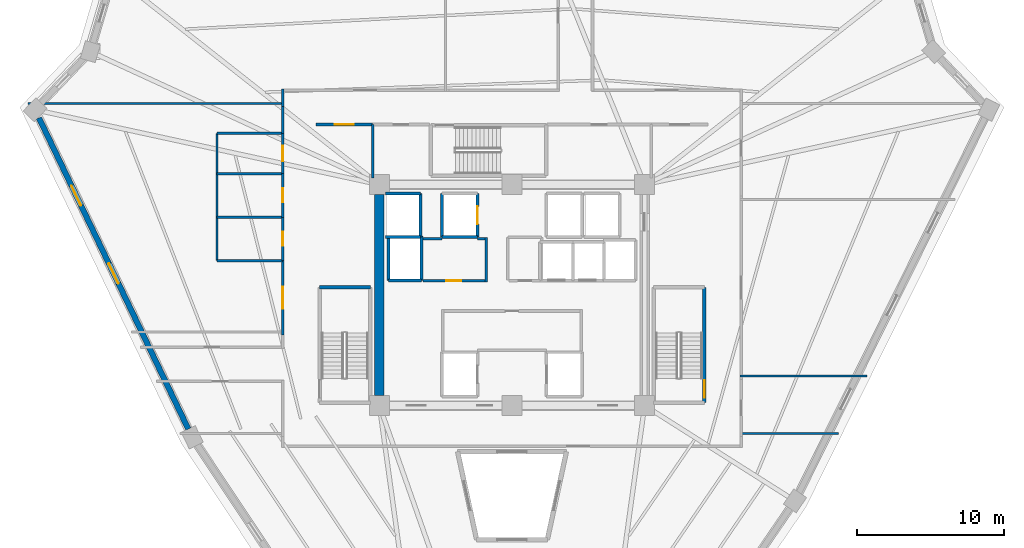
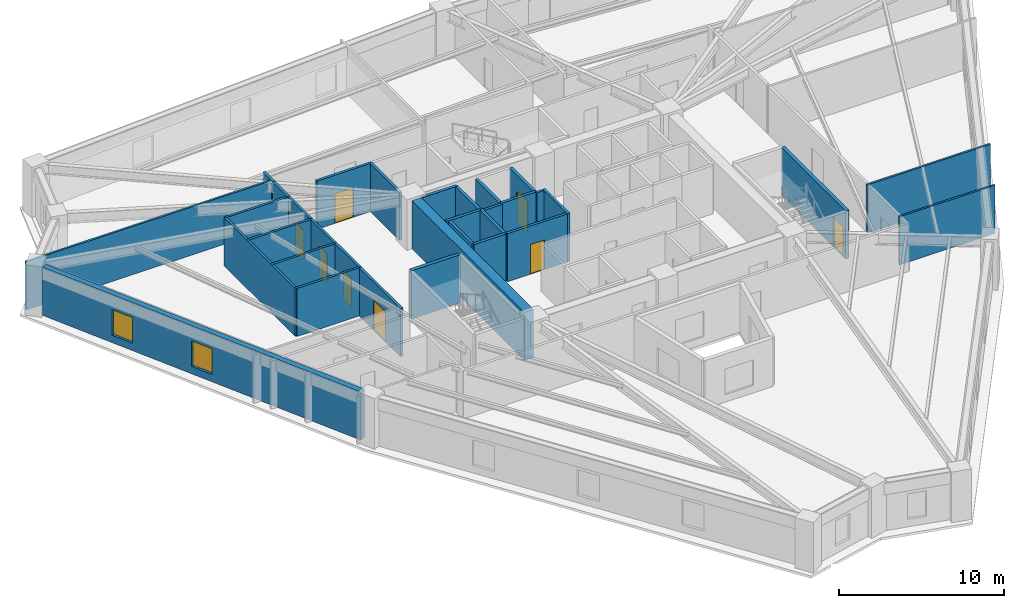
# One storey, part 4 of 9: 33 walls, 8 doors, 2 windows, 10 openings.
"""IFC4 building model written with IfcOpenShell, lengths in metres."""

from ifc_helpers import new_model, si_unit, direction, frame, frame_2d, origin, place, context, subcontext, project, spatial, rectangle, extrude, source, transform, mapped, material, layer, layer_set, type_object, element, fill, save


model = new_model("IFC4")

# Units and contexts
model_context = context("Model", 3, precision=1e-05, world=origin(), true_north=direction((0.0, 1.0)))
body_context = subcontext(model_context, "Body", "Model", "MODEL_VIEW")
ifc_project = project(units=[si_unit("LENGTHUNIT", "METRE"), si_unit("AREAUNIT", "SQUARE_METRE"), si_unit("VOLUMEUNIT", "CUBIC_METRE"), si_unit("PLANEANGLEUNIT", "RADIAN"), si_unit("MASSUNIT", "GRAM", prefix="KILO")], contexts=[model_context])

# Site, building, storey
site_placement = place(None, origin())
site = spatial("IfcSite", under=ifc_project, at=site_placement, CompositionType="ELEMENT")
building_placement = place(site_placement, origin())
building = spatial("IfcBuilding", under=site, at=building_placement, Name="Liaohun Quay Tower", CompositionType="ELEMENT")
storey_placement = place(building_placement, frame((0.0, 0.0, 236.25)))
storey = spatial("IfcBuildingStorey", under=building, at=storey_placement, Name="L61", CompositionType="ELEMENT", Elevation=236.25)

# Wall
ifc_material_1 = material(Name="Concrete C55", Category="concrete")
ifc_layer_1 = layer(ifc_material_1, 0.64990234375, Name="Concrete C55", Category="concrete")
ifc_layer_set_1 = layer_set([ifc_layer_1], Name="Concrete C55")
wall_type_1 = type_object("IfcWallType", Name="WAL-COR-Z3", PredefinedType="SHEAR", material=ifc_layer_set_1)
wall_1_placement = place(storey_placement, frame((51.0, 47.175048828125, 0.0), z_axis=(0.0, 0.0, 1.0), x_axis=(0.0, 1.0, 0.0)))
element("IfcWall", 1, at=wall_1_placement, inside=storey, type_object=wall_type_1, Name="L61 Central Core Shear Wall W", PredefinedType="SHEAR", context=body_context, shape_type="SweptSolid", body=[
    extrude(rectangle(XDim=13.64990234375, YDim=0.64990234375, at=frame_2d((6.824951171875, 0.0))), origin(), (0.0, 0.0, 1.0), 3.570068359375),
])

# Wall, openings, windows
ifc_material_2 = material(Name="Precast concrete C50 insulated sandwich", Category="concrete")
ifc_layer_2 = layer(ifc_material_2, 0.3798828125, Name="Precast concrete C50 insulated sandwich", Category="concrete")
ifc_layer_set_2 = layer_set([ifc_layer_2], Name="Precast concrete C50 insulated sandwich")
wall_type_2 = type_object("IfcWallType", Name="WAL-EXT-Z34", PredefinedType="SOLIDWALL", material=ifc_layer_set_2)
wall_2_placement = place(storey_placement, frame((27.89306640625, 66.02490234375, 0.0), z_axis=(0.0, 0.0, 1.0), x_axis=(0.432777471902, -0.901500781926, 0.0)))
wall_2 = element("IfcWall", 2, at=wall_2_placement, inside=storey, type_object=wall_type_2, Name="L61 Brutalist Precast Pier Wall 10", PredefinedType="SOLIDWALL", context=body_context, shape_type="SweptSolid", body=[
    extrude(rectangle(XDim=23.43212890625, YDim=0.3798828125, at=frame_2d((11.716064453125, 0.0))), origin(), (0.0, 0.0, 1.0), 3.570068359375),
])
shared_shape_1 = source(origin(), body_context, "Body", "SweptSolid", [
    extrude(rectangle(XDim=1.5, YDim=1.89990234375, at=frame_2d((0.75, 0.949951171875))), frame((0.0, 0.199951171875, 0.0), z_axis=(0.0, -1.0, 0.0), x_axis=(1.0, 0.0, 0.0)), (0.0, 0.0, 1.0), 0.39990234375),
])
opening_1_placement = place(wall_2_placement, frame((5.10791015625, 0.0, 0.550048828125)))
opening_1 = element("IfcOpeningElement", 3, at=opening_1_placement, cuts=wall_2, Name="Opening W03", PredefinedType="OPENING", context=body_context, shape_type="MappedRepresentation", body=[
    mapped(shared_shape_1, transform((0.0, 0.0, 0.0), x_axis=(1.0, 0.0, 0.0), y_axis=(0.0, 1.0, 0.0), z_axis=(0.0, 0.0, 1.0), scale=1.0)),
])
opening_2_placement = place(wall_2_placement, frame((10.966064453125, 0.0, 0.550048828125)))
opening_2 = element("IfcOpeningElement", 4, at=opening_2_placement, cuts=wall_2, Name="Opening W03", PredefinedType="OPENING", context=body_context, shape_type="MappedRepresentation", body=[
    mapped(shared_shape_1, transform((0.0, 0.0, 0.0), x_axis=(1.0, 0.0, 0.0), y_axis=(0.0, 1.0, 0.0), z_axis=(0.0, 0.0, 1.0), scale=1.0)),
])
ifc_material_3 = material(Name="Triple Low-E argon glazing in thermally broken aluminium", Category="aluminium")
window_type = type_object("IfcWindowType", Name="WIN-PUN-Z3", PartitioningType="DOUBLE_PANEL_VERTICAL", PredefinedType="WINDOW", material=ifc_material_3)
shared_shape_2 = source(origin(), body_context, "Body", "SweptSolid", [
    extrude(rectangle(XDim=1.5, YDim=1.89990234375, at=frame_2d((0.75, 0.949951171875))), frame((0.0, 0.030029296875, 0.0), z_axis=(0.0, -1.0, 0.0), x_axis=(1.0, 0.0, 0.0)), (0.0, 0.0, 1.0), 0.06005859375),
])
window_1_placement = place(opening_1_placement, origin())
window_1 = element("IfcWindow", 5, at=window_1_placement, inside=storey, type_object=window_type, Name="L61 Recessed Cold-Climate Punched Window 10-1", OverallHeight=1.89990234375, OverallWidth=1.5, PartitioningType="DOUBLE_PANEL_VERTICAL", PredefinedType="WINDOW", context=body_context, shape_type="MappedRepresentation", body=[
    mapped(shared_shape_2, transform((0.0, 0.0, 0.0), x_axis=(1.0, 0.0, 0.0), y_axis=(0.0, 1.0, 0.0), z_axis=(0.0, 0.0, 1.0), scale=1.0)),
])
fill(opening_1, window_1)
window_2_placement = place(opening_2_placement, origin())
window_2 = element("IfcWindow", 6, at=window_2_placement, inside=storey, type_object=window_type, Name="L61 Recessed Cold-Climate Punched Window 10-2", OverallHeight=1.89990234375, OverallWidth=1.5, PartitioningType="DOUBLE_PANEL_VERTICAL", PredefinedType="WINDOW", context=body_context, shape_type="MappedRepresentation", body=[
    mapped(shared_shape_2, transform((0.0, 0.0, 0.0), x_axis=(1.0, 0.0, 0.0), y_axis=(0.0, 1.0, 0.0), z_axis=(0.0, 0.0, 1.0), scale=1.0)),
])
fill(opening_2, window_2)

# Wall, opening, door
ifc_material_4 = material(Name="Autoclaved aerated concrete blockwork", Category="masonry")
ifc_layer_3 = layer(ifc_material_4, 0.179931640625, Name="Autoclaved aerated concrete blockwork", Category="masonry")
ifc_layer_set_3 = layer_set([ifc_layer_3], Name="Autoclaved aerated concrete blockwork")
wall_type_3 = type_object("IfcWallType", Name="WAL-PRT-COR", PredefinedType="PARTITIONING", material=ifc_layer_set_3)
wall_3_placement = place(storey_placement, frame((53.949951171875, 54.97998046875, 0.0), z_axis=(0.0, 0.0, 1.0), x_axis=(1.0, 0.0, 0.0)))
wall_3 = element("IfcWall", 7, at=wall_3_placement, inside=storey, type_object=wall_type_3, Name="L61 Interior Partition Wall 002", PredefinedType="PARTITIONING", context=body_context, shape_type="SweptSolid", body=[
    extrude(rectangle(XDim=4.2099609375, YDim=0.179931640625, at=frame_2d((2.10498046875, 0.0))), origin(), (0.0, 0.0, 1.0), 3.570068359375),
])
shared_shape_3 = source(origin(), body_context, "Body", "SweptSolid", [
    extrude(rectangle(XDim=1.0, YDim=2.199951171875, at=frame_2d((0.5, 1.10009765625))), frame((0.0, 0.099853515625, 0.0), z_axis=(0.0, -1.0, 0.0), x_axis=(1.0, 0.0, 0.0)), (0.0, 0.0, 1.0), 0.199951171875),
])
opening_3_placement = place(wall_3_placement, frame((1.60009765625, 0.0, 0.0)))
opening_3 = element("IfcOpeningElement", 8, at=opening_3_placement, cuts=wall_3, Name="Opening OD1", PredefinedType="OPENING", context=body_context, shape_type="MappedRepresentation", body=[
    mapped(shared_shape_3, transform((0.0, 0.0, 0.0), x_axis=(1.0, 0.0, 0.0), y_axis=(0.0, 1.0, 0.0), z_axis=(0.0, 0.0, 1.0), scale=1.0)),
])
ifc_material_5 = material(Name="Solid-core oak veneer timber leaf in steel frame", Category="steel")
door_type_1 = type_object("IfcDoorType", Name="DOR-OFF-1000", OperationType="NOTDEFINED", PredefinedType="DOOR", material=ifc_material_5)
shared_shape_4 = source(origin(), body_context, "Body", "SweptSolid", [
    extrude(rectangle(XDim=1.0, YDim=2.199951171875, at=frame_2d((0.5, 1.10009765625))), frame((0.0, 0.02490234375, 0.0), z_axis=(0.0, -1.0, 0.0), x_axis=(1.0, 0.0, 0.0)), (0.0, 0.0, 1.0), 0.050048828125),
])
door_1_placement = place(opening_3_placement, origin())
door_1 = element("IfcDoor", 9, at=door_1_placement, inside=storey, type_object=door_type_1, Name="L61 Core Staff Pantry and Tea Room Door", OperationType="SINGLE_SWING_RIGHT", OverallHeight=2.199951171875, OverallWidth=1.0, PredefinedType="DOOR", context=body_context, shape_type="MappedRepresentation", body=[
    mapped(shared_shape_4, transform((0.0, 0.0, 0.0), x_axis=(1.0, 0.0, 0.0), y_axis=(0.0, 1.0, 0.0), z_axis=(0.0, 0.0, 1.0), scale=1.0)),
])
fill(opening_3, door_1)

wall_4_placement = place(storey_placement, frame((46.699951171875, 65.580078125, 0.0), z_axis=(0.0, 0.0, 1.0), x_axis=(1.0, 0.0, 0.0)))
wall_4 = element("IfcWall", 10, at=wall_4_placement, inside=storey, type_object=wall_type_3, Name="L61 Interior Partition Wall 009", PredefinedType="PARTITIONING", context=body_context, shape_type="SweptSolid", body=[
    extrude(rectangle(XDim=3.840087890625, YDim=0.179931640625, at=frame_2d((1.919921875, 0.0))), origin(), (0.0, 0.0, 1.0), 3.570068359375),
])
shared_shape_5 = source(origin(), body_context, "Body", "SweptSolid", [
    extrude(rectangle(XDim=1.300048828125, YDim=2.199951171875, at=frame_2d((0.64990234375, 1.10009765625))), frame((0.0, 0.099853515625, 0.0), z_axis=(0.0, -1.0, 0.0), x_axis=(1.0, 0.0, 0.0)), (0.0, 0.0, 1.0), 0.199951171875),
])
opening_4_placement = place(wall_4_placement, frame((1.27001953125, 0.0, 0.0)))
opening_4 = element("IfcOpeningElement", 11, at=opening_4_placement, cuts=wall_4, Name="Opening FD1", PredefinedType="OPENING", context=body_context, shape_type="MappedRepresentation", body=[
    mapped(shared_shape_5, transform((0.0, 0.0, 0.0), x_axis=(1.0, 0.0, 0.0), y_axis=(0.0, 1.0, 0.0), z_axis=(0.0, 0.0, 1.0), scale=1.0)),
])
ifc_material_6 = material(Name="Galvanised steel smokeproof fire door", Category="steel")
door_type_2 = type_object("IfcDoorType", Name="DOR-FFL-1300", OperationType="NOTDEFINED", PredefinedType="DOOR", material=ifc_material_6)
shared_shape_6 = source(origin(), body_context, "Body", "SweptSolid", [
    extrude(rectangle(XDim=1.300048828125, YDim=2.199951171875, at=frame_2d((0.64990234375, 1.10009765625))), frame((0.0, 0.02490234375, 0.0), z_axis=(0.0, -1.0, 0.0), x_axis=(1.0, 0.0, 0.0)), (0.0, 0.0, 1.0), 0.050048828125),
])
door_2_placement = place(opening_4_placement, origin())
door_2 = element("IfcDoor", 12, at=door_2_placement, inside=storey, type_object=door_type_2, Name="L61 West Core Vestibule Door", OperationType="SINGLE_SWING_LEFT", OverallHeight=2.199951171875, OverallWidth=1.300048828125, PredefinedType="DOOR", context=body_context, shape_type="MappedRepresentation", body=[
    mapped(shared_shape_6, transform((0.0, 0.0, 0.0), x_axis=(1.0, 0.0, 0.0), y_axis=(0.0, 1.0, 0.0), z_axis=(0.0, 0.0, 1.0), scale=1.0)),
])
fill(opening_4, door_2)

wall_5_placement = place(storey_placement, frame((44.43994140625, 51.284912109375, 0.0), z_axis=(0.0, 0.0, 1.0), x_axis=(0.0, 1.0, 0.0)))
wall_5 = element("IfcWall", 13, at=wall_5_placement, inside=storey, type_object=wall_type_3, Name="L61 Interior Partition Wall 016", PredefinedType="PARTITIONING", context=body_context, shape_type="SweptSolid", body=[
    extrude(rectangle(XDim=5.05517578125, YDim=0.179931640625, at=frame_2d((2.527587890625, 0.0))), origin(), (0.0, 0.0, 1.0), 3.570068359375),
])
shared_shape_7 = source(origin(), body_context, "Body", "SweptSolid", [
    extrude(rectangle(XDim=1.5, YDim=2.199951171875, at=frame_2d((0.75, 1.10009765625))), frame((0.0, 0.099853515625, 0.0), z_axis=(0.0, -1.0, 0.0), x_axis=(1.0, 0.0, 0.0)), (0.0, 0.0, 1.0), 0.199951171875),
])
opening_5_placement = place(wall_5_placement, frame((1.778076171875, 0.0, 0.0)))
opening_5 = element("IfcOpeningElement", 14, at=opening_5_placement, cuts=wall_5, Name="Opening OD2", PredefinedType="OPENING", context=body_context, shape_type="MappedRepresentation", body=[
    mapped(shared_shape_7, transform((0.0, 0.0, 0.0), x_axis=(1.0, 0.0, 0.0), y_axis=(0.0, 1.0, 0.0), z_axis=(0.0, 0.0, 1.0), scale=1.0)),
])
ifc_material_7 = material(Name="Acoustic oak veneer double door")
door_type_3 = type_object("IfcDoorType", Name="DOR-OFF-1500", OperationType="DOUBLE_DOOR_SINGLE_SWING", PredefinedType="DOOR", material=ifc_material_7)
shared_shape_8 = source(origin(), body_context, "Body", "SweptSolid", [
    extrude(rectangle(XDim=1.5, YDim=2.199951171875, at=frame_2d((0.75, 1.10009765625))), frame((0.0, 0.02490234375, 0.0), z_axis=(0.0, -1.0, 0.0), x_axis=(1.0, 0.0, 0.0)), (0.0, 0.0, 1.0), 0.050048828125),
])
door_3_placement = place(opening_5_placement, origin())
door_3 = element("IfcDoor", 15, at=door_3_placement, inside=storey, type_object=door_type_3, Name="L61 Staff Tea Kitchen and Pantry 06 Door", OperationType="DOUBLE_DOOR_SINGLE_SWING", OverallHeight=2.199951171875, OverallWidth=1.5, PredefinedType="DOOR", context=body_context, shape_type="MappedRepresentation", body=[
    mapped(shared_shape_8, transform((0.0, 0.0, 0.0), x_axis=(1.0, 0.0, 0.0), y_axis=(0.0, 1.0, 0.0), z_axis=(0.0, 0.0, 1.0), scale=1.0)),
])
fill(opening_5, door_3)

# Walls
wall_6_placement = place(storey_placement, frame((50.5400390625, 61.949951171875, 0.0), z_axis=(0.0, 0.0, 1.0), x_axis=(0.0, 1.0, 0.0)))
element("IfcWall", 16, at=wall_6_placement, inside=storey, type_object=wall_type_3, Name="L61 Interior Partition Wall 029", PredefinedType="PARTITIONING", context=body_context, shape_type="SweptSolid", body=[
    extrude(rectangle(XDim=3.630126953125, YDim=0.179931640625, at=frame_2d((1.81494140625, 0.0))), origin(), (0.0, 0.0, 1.0), 3.570068359375),
])
wall_7_placement = place(storey_placement, frame((44.43994140625, 66.784912109375, 0.0), z_axis=(0.0, 0.0, 1.0), x_axis=(0.0, 1.0, 0.0)))
element("IfcWall", 17, at=wall_7_placement, inside=storey, type_object=wall_type_3, Name="L61 Interior Partition Wall 034", PredefinedType="PARTITIONING", context=body_context, shape_type="SweptSolid", body=[
    extrude(rectangle(XDim=1.195068359375, YDim=0.179931640625, at=frame_2d((0.59765625, 0.0))), origin(), (0.0, 0.0, 1.0), 3.570068359375),
])
wall_8_placement = place(storey_placement, frame((44.43994140625, 64.97998046875, 0.0), z_axis=(0.0, 0.0, 1.0), x_axis=(0.0, 1.0, 0.0)))
element("IfcWall", 18, at=wall_8_placement, inside=storey, type_object=wall_type_3, Name="L61 Interior Partition Wall 035", PredefinedType="PARTITIONING", context=body_context, shape_type="SweptSolid", body=[
    extrude(rectangle(XDim=1.804931640625, YDim=0.179931640625, at=frame_2d((0.90234375, 0.0))), origin(), (0.0, 0.0, 1.0), 3.570068359375),
])
wall_9_placement = place(storey_placement, frame((58.25, 54.889892578125, 0.0), z_axis=(0.0, 0.0, 1.0), x_axis=(0.0, 1.0, 0.0)))
element("IfcWall", 19, at=wall_9_placement, inside=storey, type_object=wall_type_3, Name="L61 Interior Partition Wall 051", PredefinedType="PARTITIONING", context=body_context, shape_type="SweptSolid", body=[
    extrude(rectangle(XDim=3.02001953125, YDim=0.179931640625, at=frame_2d((1.510009765625, 0.0))), origin(), (0.0, 0.0, 1.0), 3.570068359375),
])
wall_10_placement = place(storey_placement, frame((53.949951171875, 57.820068359375, 0.0), z_axis=(0.0, 0.0, 1.0), x_axis=(1.0, 0.0, 0.0)))
element("IfcWall", 20, at=wall_10_placement, inside=storey, type_object=wall_type_3, Name="L61 Interior Partition Wall 052", PredefinedType="PARTITIONING", context=body_context, shape_type="SweptSolid", body=[
    extrude(rectangle(XDim=1.300048828125, YDim=0.179931640625, at=frame_2d((0.64990234375, 0.0))), origin(), (0.0, 0.0, 1.0), 3.570068359375),
])
wall_11_placement = place(storey_placement, frame((57.64990234375, 57.820068359375, 0.0), z_axis=(0.0, 0.0, 1.0), x_axis=(1.0, 0.0, 0.0)))
element("IfcWall", 21, at=wall_11_placement, inside=storey, type_object=wall_type_3, Name="L61 Interior Partition Wall 053", PredefinedType="PARTITIONING", context=body_context, shape_type="SweptSolid", body=[
    extrude(rectangle(XDim=0.510009765625, YDim=0.179931640625, at=frame_2d((0.2548828125, 0.0))), origin(), (0.0, 0.0, 1.0), 3.570068359375),
])
ifc_material_8 = material(Name="Gypsum board on twin steel studs", Category="steel")
ifc_layer_4 = layer(ifc_material_8, 0.139892578125, Name="Gypsum board on twin steel studs", Category="steel")
ifc_layer_set_4 = layer_set([ifc_layer_4], Name="Gypsum board on twin steel studs")
wall_type_4 = type_object("IfcWallType", Name="WAL-PRT-OFF", PredefinedType="PARTITIONING", material=ifc_layer_set_4)
wall_12_placement = place(storey_placement, frame((44.5400390625, 67.0, 0.0), z_axis=(0.0, 0.0, 1.0), x_axis=(-1.0, 0.0, 0.0)))
element("IfcWall", 22, at=wall_12_placement, inside=storey, type_object=wall_type_4, Name="L61 Interior Partition Wall 042", PredefinedType="PARTITIONING", context=body_context, shape_type="SweptSolid", body=[
    extrude(rectangle(XDim=17.382080078125, YDim=0.139892578125, at=frame_2d((8.69091796875, 0.0))), origin(), (0.0, 0.0, 1.0), 3.570068359375),
])
wall_13_placement = place(storey_placement, frame((75.4599609375, 44.60009765625, 0.0), z_axis=(0.0, 0.0, 1.0), x_axis=(1.0, 0.0, 0.0)))
element("IfcWall", 23, at=wall_13_placement, inside=storey, type_object=wall_type_4, Name="L61 Interior Partition Wall 043", PredefinedType="PARTITIONING", context=body_context, shape_type="SweptSolid", body=[
    extrude(rectangle(XDim=6.716064453125, YDim=0.139892578125, at=frame_2d((3.35791015625, 0.0))), origin(), (0.0, 0.0, 1.0), 3.570068359375),
])
wall_14_placement = place(storey_placement, frame((75.4599609375, 48.5, 0.0), z_axis=(0.0, 0.0, 1.0), x_axis=(1.0, 0.0, 0.0)))
element("IfcWall", 24, at=wall_14_placement, inside=storey, type_object=wall_type_4, Name="L61 Interior Partition Wall 044", PredefinedType="PARTITIONING", context=body_context, shape_type="SweptSolid", body=[
    extrude(rectangle(XDim=8.64794921875, YDim=0.139892578125, at=frame_2d((4.323974609375, 0.0))), origin(), (0.0, 0.0, 1.0), 3.570068359375),
])

# Wall, opening, door
ifc_material_9 = material(Name="Moisture-resistant masonry blockwork", Category="masonry")
ifc_layer_5 = layer(ifc_material_9, 0.159912109375, Name="Moisture-resistant masonry blockwork", Category="masonry")
ifc_layer_set_5 = layer_set([ifc_layer_5], Name="Moisture-resistant masonry blockwork")
wall_type_5 = type_object("IfcWallType", Name="WAL-PRT-WET", PredefinedType="PARTITIONING", material=ifc_layer_set_5)
wall_15_placement = place(storey_placement, frame((44.43994140625, 56.340087890625, 0.0), z_axis=(0.0, 0.0, 1.0), x_axis=(0.0, 1.0, 0.0)))
wall_15 = element("IfcWall", 25, at=wall_15_placement, inside=storey, type_object=wall_type_5, Name="L61 Interior Partition Wall 004", PredefinedType="PARTITIONING", context=body_context, shape_type="SweptSolid", body=[
    extrude(rectangle(XDim=2.93994140625, YDim=0.159912109375, at=frame_2d((1.469970703125, 0.0))), origin(), (0.0, 0.0, 1.0), 3.570068359375),
])
shared_shape_9 = source(origin(), body_context, "Body", "SweptSolid", [
    extrude(rectangle(XDim=0.949951171875, YDim=2.14990234375, at=frame_2d((0.47509765625, 1.074951171875))), frame((0.0, 0.08984375, 0.0), z_axis=(0.0, -1.0, 0.0), x_axis=(1.0, 0.0, 0.0)), (0.0, 0.0, 1.0), 0.179931640625),
])
opening_6_placement = place(wall_15_placement, frame((0.9951171875, 0.0, 0.0)))
opening_6 = element("IfcOpeningElement", 26, at=opening_6_placement, cuts=wall_15, Name="Opening WD1", PredefinedType="OPENING", context=body_context, shape_type="MappedRepresentation", body=[
    mapped(shared_shape_9, transform((0.0, 0.0, 0.0), x_axis=(1.0, 0.0, 0.0), y_axis=(0.0, 1.0, 0.0), z_axis=(0.0, 0.0, 1.0), scale=1.0)),
])
ifc_material_10 = material(Name="Moisture-resistant laminate timber leaf", Category="wood")
door_type_4 = type_object("IfcDoorType", Name="DOR-WC-950", OperationType="NOTDEFINED", PredefinedType="DOOR", material=ifc_material_10)
shared_shape_10 = source(origin(), body_context, "Body", "SweptSolid", [
    extrude(rectangle(XDim=0.949951171875, YDim=2.14990234375, at=frame_2d((0.47509765625, 1.074951171875))), frame((0.0, 0.02490234375, 0.0), z_axis=(0.0, -1.0, 0.0), x_axis=(1.0, 0.0, 0.0)), (0.0, 0.0, 1.0), 0.050048828125),
])
door_4_placement = place(opening_6_placement, origin())
door_4 = element("IfcDoor", 27, at=door_4_placement, inside=storey, type_object=door_type_4, Name="L61 Male Restroom WC Door", OperationType="SINGLE_SWING_RIGHT", OverallHeight=2.14990234375, OverallWidth=0.949951171875, PredefinedType="DOOR", context=body_context, shape_type="MappedRepresentation", body=[
    mapped(shared_shape_10, transform((0.0, 0.0, 0.0), x_axis=(1.0, 0.0, 0.0), y_axis=(0.0, 1.0, 0.0), z_axis=(0.0, 0.0, 1.0), scale=1.0)),
])
fill(opening_6, door_4)

wall_16_placement = place(storey_placement, frame((44.43994140625, 59.280029296875, 0.0), z_axis=(0.0, 0.0, 1.0), x_axis=(0.0, 1.0, 0.0)))
wall_16 = element("IfcWall", 28, at=wall_16_placement, inside=storey, type_object=wall_type_5, Name="L61 Interior Partition Wall 005", PredefinedType="PARTITIONING", context=body_context, shape_type="SweptSolid", body=[
    extrude(rectangle(XDim=2.9599609375, YDim=0.159912109375, at=frame_2d((1.47998046875, 0.0))), origin(), (0.0, 0.0, 1.0), 3.570068359375),
])
opening_7_placement = place(wall_16_placement, frame((1.0048828125, 0.0, 0.0)))
opening_7 = element("IfcOpeningElement", 29, at=opening_7_placement, cuts=wall_16, Name="Opening WD1", PredefinedType="OPENING", context=body_context, shape_type="MappedRepresentation", body=[
    mapped(shared_shape_9, transform((0.0, 0.0, 0.0), x_axis=(1.0, 0.0, 0.0), y_axis=(0.0, 1.0, 0.0), z_axis=(0.0, 0.0, 1.0), scale=1.0)),
])
door_5_placement = place(opening_7_placement, origin())
door_5 = element("IfcDoor", 30, at=door_5_placement, inside=storey, type_object=door_type_4, Name="L61 Female Restroom WC Door", OperationType="SINGLE_SWING_LEFT", OverallHeight=2.14990234375, OverallWidth=0.949951171875, PredefinedType="DOOR", context=body_context, shape_type="MappedRepresentation", body=[
    mapped(shared_shape_10, transform((0.0, 0.0, 0.0), x_axis=(1.0, 0.0, 0.0), y_axis=(0.0, 1.0, 0.0), z_axis=(0.0, 0.0, 1.0), scale=1.0)),
])
fill(opening_7, door_5)

wall_17_placement = place(storey_placement, frame((44.43994140625, 62.239990234375, 0.0), z_axis=(0.0, 0.0, 1.0), x_axis=(0.0, 1.0, 0.0)))
wall_17 = element("IfcWall", 31, at=wall_17_placement, inside=storey, type_object=wall_type_5, Name="L61 Interior Partition Wall 006", PredefinedType="PARTITIONING", context=body_context, shape_type="SweptSolid", body=[
    extrude(rectangle(XDim=2.739990234375, YDim=0.159912109375, at=frame_2d((1.3701171875, 0.0))), origin(), (0.0, 0.0, 1.0), 3.570068359375),
])
shared_shape_11 = source(origin(), body_context, "Body", "SweptSolid", [
    extrude(rectangle(XDim=1.050048828125, YDim=2.14990234375, at=frame_2d((0.52490234375, 1.074951171875))), frame((0.0, 0.08984375, 0.0), z_axis=(0.0, -1.0, 0.0), x_axis=(1.0, 0.0, 0.0)), (0.0, 0.0, 1.0), 0.179931640625),
])
opening_8_placement = place(wall_17_placement, frame((0.844970703125, 0.0, 0.0)))
opening_8 = element("IfcOpeningElement", 32, at=opening_8_placement, cuts=wall_17, Name="Opening WD2", PredefinedType="OPENING", context=body_context, shape_type="MappedRepresentation", body=[
    mapped(shared_shape_11, transform((0.0, 0.0, 0.0), x_axis=(1.0, 0.0, 0.0), y_axis=(0.0, 1.0, 0.0), z_axis=(0.0, 0.0, 1.0), scale=1.0)),
])
ifc_material_11 = material(Name="Accessible outward-swinging laminate door")
door_type_5 = type_object("IfcDoorType", Name="DOR-AWC-1050", OperationType="NOTDEFINED", PredefinedType="DOOR", material=ifc_material_11)
shared_shape_12 = source(origin(), body_context, "Body", "SweptSolid", [
    extrude(rectangle(XDim=1.050048828125, YDim=2.14990234375, at=frame_2d((0.52490234375, 1.074951171875))), frame((0.0, 0.02490234375, 0.0), z_axis=(0.0, -1.0, 0.0), x_axis=(1.0, 0.0, 0.0)), (0.0, 0.0, 1.0), 0.050048828125),
])
door_6_placement = place(opening_8_placement, origin())
door_6 = element("IfcDoor", 33, at=door_6_placement, inside=storey, type_object=door_type_5, Name="L61 Accessible WC Door", OperationType="SINGLE_SWING_RIGHT", OverallHeight=2.14990234375, OverallWidth=1.050048828125, PredefinedType="DOOR", context=body_context, shape_type="MappedRepresentation", body=[
    mapped(shared_shape_12, transform((0.0, 0.0, 0.0), x_axis=(1.0, 0.0, 0.0), y_axis=(0.0, 1.0, 0.0), z_axis=(0.0, 0.0, 1.0), scale=1.0)),
])
fill(opening_8, door_6)

# Walls
wall_18_placement = place(storey_placement, frame((39.97998046875, 56.340087890625, 0.0), z_axis=(0.0, 0.0, 1.0), x_axis=(0.0, 1.0, 0.0)))
element("IfcWall", 34, at=wall_18_placement, inside=storey, type_object=wall_type_5, Name="L61 Interior Partition Wall 024", PredefinedType="PARTITIONING", context=body_context, shape_type="SweptSolid", body=[
    extrude(rectangle(XDim=8.639892578125, YDim=0.159912109375, at=frame_2d((4.31982421875, 0.0))), origin(), (0.0, 0.0, 1.0), 3.570068359375),
])
for number, where, z_axis, x_axis, name in (
    (35, (39.97998046875, 56.340087890625, 0.0), (0.0, 0.0, 1.0), (1.0, 0.0, 0.0), "L61 Interior Partition Wall 025"),
    (36, (39.97998046875, 59.280029296875, 0.0), (0.0, 0.0, 1.0), (1.0, 0.0, 0.0), "L61 Interior Partition Wall 026"),
    (37, (39.97998046875, 62.239990234375, 0.0), (0.0, 0.0, 1.0), (1.0, 0.0, 0.0), "L61 Interior Partition Wall 027"),
    (38, (39.97998046875, 64.97998046875, 0.0), (0.0, 0.0, 1.0), (1.0, 0.0, 0.0), "L61 Interior Partition Wall 028"),
):
    element("IfcWall", number, at=place(storey_placement, frame(where, z_axis=z_axis, x_axis=x_axis)), inside=storey, type_object=wall_type_5, Name=name, PredefinedType="PARTITIONING", context=body_context, shape_type="SweptSolid", body=[
        extrude(rectangle(XDim=4.4599609375, YDim=0.159912109375, at=frame_2d((2.22998046875, 0.0))), origin(), (0.0, 0.0, 1.0), 3.570068359375),
    ])
ifc_material_12 = material(Name="Concrete C50", Category="concrete")
ifc_layer_6 = layer(ifc_material_12, 0.239990234375, Name="Concrete C50", Category="concrete")
ifc_layer_set_6 = layer_set([ifc_layer_6], Name="Concrete C50")
wall_type_6 = type_object("IfcWallType", Name="WAL-SHF-200", PredefinedType="SOLIDWALL", material=ifc_layer_set_6)
wall_19_placement = place(storey_placement, frame((50.3798828125, 54.52001953125, 0.0), z_axis=(0.0, 0.0, 1.0), x_axis=(-1.0, 0.0, 0.0)))
element("IfcWall", 39, at=wall_19_placement, inside=storey, type_object=wall_type_6, Name="L61 Stairwell ST-1 Structural Core Wall N", PredefinedType="SOLIDWALL", context=body_context, shape_type="SweptSolid", body=[
    extrude(rectangle(XDim=3.43994140625, YDim=0.239990234375, at=frame_2d((1.719970703125, 0.0))), origin(), (0.0, 0.0, 1.0), 3.570068359375),
])

# Wall, opening, door
wall_20_placement = place(storey_placement, frame((73.06005859375, 46.699951171875, 0.0), z_axis=(0.0, 0.0, 1.0), x_axis=(0.0, 1.0, 0.0)))
wall_20 = element("IfcWall", 40, at=wall_20_placement, inside=storey, type_object=wall_type_6, Name="L61 Stairwell ST-2 Structural Core Wall E", PredefinedType="SOLIDWALL", context=body_context, shape_type="SweptSolid", body=[
    extrude(rectangle(XDim=7.820068359375, YDim=0.239990234375, at=frame_2d((3.91015625, 0.0))), origin(), (0.0, 0.0, 1.0), 3.570068359375),
])
shared_shape_13 = source(origin(), body_context, "Body", "SweptSolid", [
    extrude(rectangle(XDim=1.199951171875, YDim=2.199951171875, at=frame_2d((0.60009765625, 1.10009765625))), frame((0.0, 0.1298828125, 0.0), z_axis=(0.0, -1.0, 0.0), x_axis=(1.0, 0.0, 0.0)), (0.0, 0.0, 1.0), 0.260009765625),
])
opening_9_placement = place(wall_20_placement, frame((0.320068359375, 0.0, 0.0)))
opening_9 = element("IfcOpeningElement", 41, at=opening_9_placement, cuts=wall_20, Name="Opening SD1", PredefinedType="OPENING", context=body_context, shape_type="MappedRepresentation", body=[
    mapped(shared_shape_13, transform((0.0, 0.0, 0.0), x_axis=(1.0, 0.0, 0.0), y_axis=(0.0, 1.0, 0.0), z_axis=(0.0, 0.0, 1.0), scale=1.0)),
])
ifc_material_13 = material(Name="Galvanised steel fire door", Category="steel")
door_type_6 = type_object("IfcDoorType", Name="DOR-STR-1200", OperationType="NOTDEFINED", PredefinedType="DOOR", material=ifc_material_13)
shared_shape_14 = source(origin(), body_context, "Body", "SweptSolid", [
    extrude(rectangle(XDim=1.199951171875, YDim=2.199951171875, at=frame_2d((0.60009765625, 1.10009765625))), frame((0.0, 0.02490234375, 0.0), z_axis=(0.0, -1.0, 0.0), x_axis=(1.0, 0.0, 0.0)), (0.0, 0.0, 1.0), 0.050048828125),
])
door_7_placement = place(opening_9_placement, origin())
door_7 = element("IfcDoor", 42, at=door_7_placement, inside=storey, type_object=door_type_6, Name="L61 Protected Stair ST-2 Fire Door", OperationType="SINGLE_SWING_RIGHT", OverallHeight=2.199951171875, OverallWidth=1.199951171875, PredefinedType="DOOR", context=body_context, shape_type="MappedRepresentation", body=[
    mapped(shared_shape_14, transform((0.0, 0.0, 0.0), x_axis=(1.0, 0.0, 0.0), y_axis=(0.0, 1.0, 0.0), z_axis=(0.0, 0.0, 1.0), scale=1.0)),
])
fill(opening_9, door_7)

# Wall
wall_21_placement = place(storey_placement, frame((55.25, 57.949951171875, 0.0), z_axis=(0.0, 0.0, 1.0), x_axis=(1.0, 0.0, 0.0)))
element("IfcWall", 43, at=wall_21_placement, inside=storey, type_object=wall_type_6, Name="L61 Lift FF-03 Hoistway Wall S", PredefinedType="SOLIDWALL", context=body_context, shape_type="SweptSolid", body=[
    extrude(rectangle(XDim=2.39990234375, YDim=0.199951171875, at=frame_2d((1.199951171875, 0.0))), origin(), (0.0, 0.0, 1.0), 3.570068359375),
])

# Wall, opening, door
wall_22_placement = place(storey_placement, frame((57.64990234375, 57.949951171875, 0.0), z_axis=(0.0, 0.0, 1.0), x_axis=(0.0, 1.0, 0.0)))
wall_22 = element("IfcWall", 44, at=wall_22_placement, inside=storey, type_object=wall_type_6, Name="L61 Lift FF-03 Hoistway Wall E", PredefinedType="SOLIDWALL", context=body_context, shape_type="SweptSolid", body=[
    extrude(rectangle(XDim=2.929931640625, YDim=0.199951171875, at=frame_2d((1.46484375, 0.0))), origin(), (0.0, 0.0, 1.0), 3.570068359375),
])
shared_shape_15 = source(origin(), body_context, "Body", "SweptSolid", [
    extrude(rectangle(XDim=1.199951171875, YDim=2.300048828125, at=frame_2d((0.60009765625, 1.14990234375))), frame((0.0, 0.10986328125, 0.0), z_axis=(0.0, -1.0, 0.0), x_axis=(1.0, 0.0, 0.0)), (0.0, 0.0, 1.0), 0.219970703125),
])
opening_10_placement = place(wall_22_placement, frame((0.864990234375, 0.0, 0.0)))
opening_10 = element("IfcOpeningElement", 45, at=opening_10_placement, cuts=wall_22, Name="Opening LD2", PredefinedType="OPENING", context=body_context, shape_type="MappedRepresentation", body=[
    mapped(shared_shape_15, transform((0.0, 0.0, 0.0), x_axis=(1.0, 0.0, 0.0), y_axis=(0.0, 1.0, 0.0), z_axis=(0.0, 0.0, 1.0), scale=1.0)),
])
ifc_material_14 = material(Name="Brushed stainless steel stretcher landing door", Category="steel")
door_type_7 = type_object("IfcDoorType", Name="DOR-LFT-1200", OperationType="SLIDING_TO_LEFT", PredefinedType="DOOR", material=ifc_material_14)
shared_shape_16 = source(origin(), body_context, "Body", "SweptSolid", [
    extrude(rectangle(XDim=1.199951171875, YDim=2.300048828125, at=frame_2d((0.60009765625, 1.14990234375))), frame((0.0, 0.02490234375, 0.0), z_axis=(0.0, -1.0, 0.0), x_axis=(1.0, 0.0, 0.0)), (0.0, 0.0, 1.0), 0.050048828125),
])
door_8_placement = place(opening_10_placement, origin())
door_8 = element("IfcDoor", 46, at=door_8_placement, inside=storey, type_object=door_type_7, Name="L61 Lift FF-03 Sliding Landing Door", OperationType="SLIDING_TO_LEFT", OverallHeight=2.300048828125, OverallWidth=1.199951171875, PredefinedType="DOOR", context=body_context, shape_type="MappedRepresentation", body=[
    mapped(shared_shape_16, transform((0.0, 0.0, 0.0), x_axis=(1.0, 0.0, 0.0), y_axis=(0.0, 1.0, 0.0), z_axis=(0.0, 0.0, 1.0), scale=1.0)),
])
fill(opening_10, door_8)

# Walls
wall_23_placement = place(storey_placement, frame((55.25, 60.8798828125, 0.0), z_axis=(0.0, 0.0, 1.0), x_axis=(0.0, -1.0, 0.0)))
element("IfcWall", 47, at=wall_23_placement, inside=storey, type_object=wall_type_6, Name="L61 Lift FF-03 Hoistway Wall W", PredefinedType="SOLIDWALL", context=body_context, shape_type="SweptSolid", body=[
    extrude(rectangle(XDim=2.929931640625, YDim=0.199951171875, at=frame_2d((1.46484375, 0.0))), origin(), (0.0, 0.0, 1.0), 3.570068359375),
])
wall_24_placement = place(storey_placement, frame((51.39990234375, 57.949951171875, 0.0), z_axis=(0.0, 0.0, 1.0), x_axis=(1.0, 0.0, 0.0)))
element("IfcWall", 48, at=wall_24_placement, inside=storey, type_object=wall_type_6, Name="L61 Lift SH-01 Hoistway Wall S", PredefinedType="SOLIDWALL", context=body_context, shape_type="SweptSolid", body=[
    extrude(rectangle(XDim=2.400146484375, YDim=0.199951171875, at=frame_2d((1.2001953125, 0.0))), origin(), (0.0, 0.0, 1.0), 3.570068359375),
])
wall_25_placement = place(storey_placement, frame((53.800048828125, 57.949951171875, 0.0), z_axis=(0.0, 0.0, 1.0), x_axis=(0.0, 1.0, 0.0)))
element("IfcWall", 49, at=wall_25_placement, inside=storey, type_object=wall_type_6, Name="L61 Lift SH-01 Hoistway Wall E", PredefinedType="SOLIDWALL", context=body_context, shape_type="SweptSolid", body=[
    extrude(rectangle(XDim=2.929931640625, YDim=0.199951171875, at=frame_2d((1.46484375, 0.0))), origin(), (0.0, 0.0, 1.0), 3.570068359375),
])
wall_26_placement = place(storey_placement, frame((53.800048828125, 60.8798828125, 0.0), z_axis=(0.0, 0.0, 1.0), x_axis=(-1.0, 0.0, 0.0)))
element("IfcWall", 50, at=wall_26_placement, inside=storey, type_object=wall_type_6, Name="L61 Lift SH-01 Hoistway Wall N", PredefinedType="SOLIDWALL", context=body_context, shape_type="SweptSolid", body=[
    extrude(rectangle(XDim=2.400146484375, YDim=0.199951171875, at=frame_2d((1.2001953125, 0.0))), origin(), (0.0, 0.0, 1.0), 3.570068359375),
])
wall_27_placement = place(storey_placement, frame((51.6201171875, 55.0, 0.0), z_axis=(0.0, 0.0, 1.0), x_axis=(1.0, 0.0, 0.0)))
element("IfcWall", 51, at=wall_27_placement, inside=storey, type_object=wall_type_6, Name="L61 Lift SH-02 Hoistway Wall S", PredefinedType="SOLIDWALL", context=body_context, shape_type="SweptSolid", body=[
    extrude(rectangle(XDim=2.22998046875, YDim=0.199951171875, at=frame_2d((1.114990234375, 0.0))), origin(), (0.0, 0.0, 1.0), 3.570068359375),
])
for number, where, z_axis, x_axis, name in (
    (52, (53.85009765625, 55.0, 0.0), (0.0, 0.0, 1.0), (0.0, 1.0, 0.0), "L61 Lift SH-02 Hoistway Wall E"),
    (53, (51.6201171875, 58.0, 0.0), (0.0, 0.0, 1.0), (0.0, -1.0, 0.0), "L61 Lift SH-02 Hoistway Wall W"),
):
    element("IfcWall", number, at=place(storey_placement, frame(where, z_axis=z_axis, x_axis=x_axis)), inside=storey, type_object=wall_type_6, Name=name, PredefinedType="SOLIDWALL", context=body_context, shape_type="SweptSolid", body=[
        extrude(rectangle(XDim=3.0, YDim=0.199951171875, at=frame_2d((1.5, 0.0))), origin(), (0.0, 0.0, 1.0), 3.570068359375),
    ])

save(model, "model.ifc")
